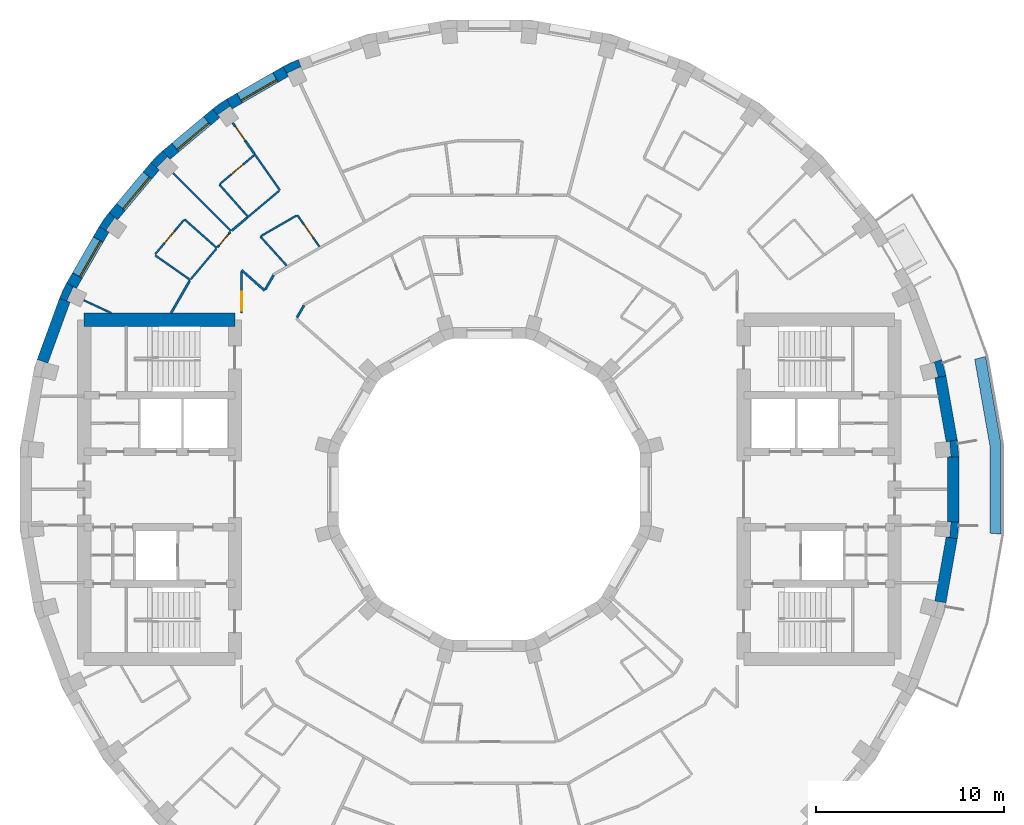
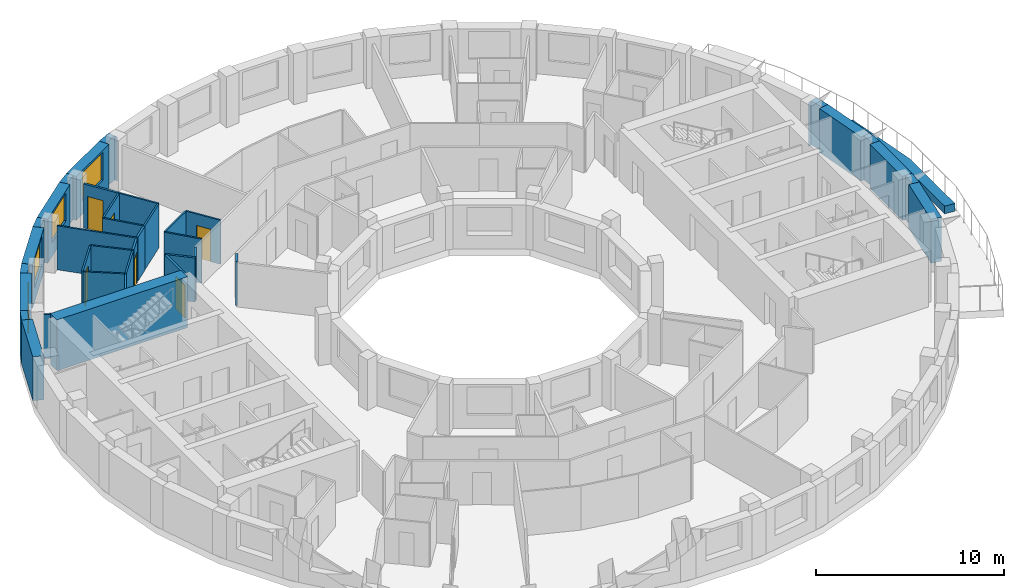
# One storey, part 7 of 11: 39 walls, 6 doors, 4 windows, 10 openings.
"""IFC4 building model written with IfcOpenShell, lengths in metres."""

from ifc_helpers import new_model, si_unit, direction, frame, frame_2d, origin, place, context, subcontext, project, spatial, polyline, rectangle, outline, extrude, material, layer, layer_set, type_object, element, fill, save


model = new_model("IFC4")

# Units and contexts
model_context = context("Model", 3, precision=1e-05, world=origin(), true_north=direction((0.0, 1.0)))
body_context = subcontext(model_context, "Body", "Model", "MODEL_VIEW")
ifc_project = project(units=[si_unit("LENGTHUNIT", "METRE"), si_unit("AREAUNIT", "SQUARE_METRE"), si_unit("VOLUMEUNIT", "CUBIC_METRE"), si_unit("PLANEANGLEUNIT", "RADIAN"), si_unit("MASSUNIT", "GRAM", prefix="KILO")], contexts=[model_context])

# Site, building, storey
site_placement = place(None, origin())
site = spatial("IfcSite", under=ifc_project, at=site_placement, CompositionType="ELEMENT")
building_placement = place(site_placement, origin())
building = spatial("IfcBuilding", under=site, at=building_placement, Name="Saqina Gate Tower", CompositionType="ELEMENT")
storey_placement = place(building_placement, frame((0.0, 0.0, 180.60009765625)))
storey = spatial("IfcBuildingStorey", under=building, at=storey_placement, Name="L51", CompositionType="ELEMENT", Elevation=180.60009765625)

# Walls
ifc_material_1 = material(Name="Brick masonry (buff)", Category="masonry")
wall_type_1 = type_object("IfcWallType", Name="BRICK PIER COPING BUFF", PredefinedType="SOLIDWALL", material=ifc_material_1)
wall_1_placement = place(storey_placement, origin())
element("IfcWall", 1, at=wall_1_placement, inside=storey, type_object=wall_type_1, Name="Pier cap L51 column 1", PredefinedType="SOLIDWALL", context=body_context, shape_type="SweptSolid", body=[
    extrude(outline(polyline([(24.90478515625, 1.724853515625), (24.825927734375, 2.6259765625), (24.235107421875, 2.521728515625), (24.421630859375, 2.5380859375), (24.491455078125, 1.7412109375), (24.304931640625, 1.724853515625), (24.90478515625, 1.724853515625)])), origin(), (0.0, 0.0, 1.0), 2.849853515625),
])
wall_2_placement = place(storey_placement, origin())
element("IfcWall", 2, at=wall_2_placement, inside=storey, type_object=wall_type_1, Name="Pier cap L51 column 2", PredefinedType="SOLIDWALL", context=body_context, shape_type="SweptSolid", body=[
    extrude(outline(polyline([(24.22705078125, 6.0234375), (23.992919921875, 6.897216796875), (23.428955078125, 6.69189453125), (23.610107421875, 6.740478515625), (23.81689453125, 5.967529296875), (23.635986328125, 5.919189453125), (24.22705078125, 6.0234375)])), origin(), (0.0, 0.0, 1.0), 2.849853515625),
])
wall_3_placement = place(storey_placement, origin())
element("IfcWall", 3, at=wall_3_placement, inside=storey, type_object=wall_type_1, Name="Pier cap L51 column 12", PredefinedType="SOLIDWALL", context=body_context, shape_type="SweptSolid", body=[
    extrude(outline(polyline([(-10.958740234375, 22.4306640625), (-10.65869140625, 21.9111328125), (-10.73779296875, 22.080810546875), (-10.0126953125, 22.4189453125), (-9.93359375, 22.249267578125), (-10.138916015625, 22.81298828125), (-10.958740234375, 22.4306640625)])), origin(), (0.0, 0.0, 1.0), 2.849853515625),
])
wall_4_placement = place(storey_placement, origin())
element("IfcWall", 4, at=wall_4_placement, inside=storey, type_object=wall_type_1, Name="Pier cap L51 column 13", PredefinedType="SOLIDWALL", context=body_context, shape_type="SweptSolid", body=[
    extrude(outline(polyline([(-13.9462890625, 20.705810546875), (-14.687255859375, 20.18701171875), (-14.301513671875, 19.727294921875), (-14.408935546875, 19.880859375), (-13.753662109375, 20.339599609375), (-13.646240234375, 20.186279296875), (-13.9462890625, 20.705810546875)])), origin(), (0.0, 0.0, 1.0), 2.849853515625),
])
wall_5_placement = place(storey_placement, origin())
element("IfcWall", 5, at=wall_5_placement, inside=storey, type_object=wall_type_1, Name="Pier cap L51 column 14", PredefinedType="SOLIDWALL", context=body_context, shape_type="SweptSolid", body=[
    extrude(outline(polyline([(-17.969482421875, 17.329833984375), (-17.510009765625, 16.944091796875), (-17.642333984375, 17.07666015625), (-17.07666015625, 17.642333984375), (-16.944091796875, 17.510009765625), (-17.329833984375, 17.969482421875), (-17.969482421875, 17.329833984375)])), origin(), (0.0, 0.0, 1.0), 2.849853515625),
])
wall_6_placement = place(storey_placement, origin())
element("IfcWall", 6, at=wall_6_placement, inside=storey, type_object=wall_type_1, Name="Pier cap L51 column 15", PredefinedType="SOLIDWALL", context=body_context, shape_type="SweptSolid", body=[
    extrude(outline(polyline([(-20.18701171875, 14.687255859375), (-20.705810546875, 13.9462890625), (-20.186279296875, 13.646240234375), (-20.339599609375, 13.753662109375), (-19.880859375, 14.408935546875), (-19.727294921875, 14.301513671875), (-20.18701171875, 14.687255859375)])), origin(), (0.0, 0.0, 1.0), 2.849853515625),
])
wall_7_placement = place(storey_placement, origin())
element("IfcWall", 7, at=wall_7_placement, inside=storey, type_object=wall_type_1, Name="Pier cap L51 column 16", PredefinedType="SOLIDWALL", context=body_context, shape_type="SweptSolid", body=[
    extrude(outline(polyline([(-22.81298828125, 10.138916015625), (-22.249267578125, 9.93359375), (-22.4189453125, 10.0126953125), (-22.080810546875, 10.73779296875), (-21.9111328125, 10.65869140625), (-22.4306640625, 10.958740234375), (-22.81298828125, 10.138916015625)])), origin(), (0.0, 0.0, 1.0), 2.849853515625),
])
wall_8_placement = place(storey_placement, origin())
element("IfcWall", 8, at=wall_8_placement, inside=storey, type_object=wall_type_1, Name="Pier cap L51 column 36", PredefinedType="SOLIDWALL", context=body_context, shape_type="SweptSolid", body=[
    extrude(outline(polyline([(24.825927734375, -2.6259765625), (24.90478515625, -1.724853515625), (24.304931640625, -1.724853515625), (24.491455078125, -1.7412109375), (24.421630859375, -2.5380859375), (24.235107421875, -2.521728515625), (24.825927734375, -2.6259765625)])), origin(), (0.0, 0.0, 1.0), 2.849853515625),
])

# Wall, opening, window
ifc_material_2 = material(Name="Brick masonry (buff)", Category="masonry")
ifc_layer_1 = layer(ifc_material_2, 0.60009765625)
ifc_layer_set_1 = layer_set([ifc_layer_1], Name="FW-BRICK-BUFF")
wall_type_2 = type_object("IfcWallType", Name="FW-BRICK-BUFF", PredefinedType="SOLIDWALL", material=ifc_layer_set_1)
wall_9_placement = place(storey_placement, frame((-10.80859375, 22.1708984375, 0.0), z_axis=(0.0, 0.0, 1.0), x_axis=(-0.86602648383, -0.499998129301, 0.0)))
wall_9 = element("IfcWall", 9, at=wall_9_placement, inside=storey, type_object=wall_type_2, Name="Facade wall L51 facet 12", PredefinedType="SOLIDWALL", context=body_context, shape_type="SweptSolid", body=[
    extrude(rectangle(XDim=3.44970703125, YDim=0.60009765625, at=frame_2d((1.724853515625, 0.0))), origin(), (0.0, 0.0, 1.0), 2.849853515625),
])
opening_1_placement = place(wall_9_placement, frame((0.625, 0.0, 0.89990234375)))
opening_1 = element("IfcOpeningElement", 10, at=opening_1_placement, cuts=wall_9, Name="Opening G15-W09", PredefinedType="OPENING", context=body_context, shape_type="SweptSolid", body=[
    extrude(rectangle(XDim=2.199951171875, YDim=1.800048828125, at=frame_2d((1.10009765625, 0.89990234375))), frame((0.0, 0.31201171875, 0.0), z_axis=(0.0, -1.0, 0.0), x_axis=(1.0, 0.0, 0.0)), (0.0, 0.0, 1.0), 0.6240234375),
])
ifc_material_3 = material(Name="Aluminium glazing", Category="aluminium")
window_type = type_object("IfcWindowType", Name="WN-C", PartitioningType="SINGLE_PANEL", PredefinedType="WINDOW", material=ifc_material_3)
window_1_placement = place(opening_1_placement, origin())
window_1 = element("IfcWindow", 11, at=window_1_placement, inside=storey, type_object=window_type, Name="Window L51 facet 12", OverallHeight=1.800048828125, OverallWidth=2.199951171875, PartitioningType="SINGLE_PANEL", PredefinedType="WINDOW", context=body_context, shape_type="SweptSolid", body=[
    extrude(rectangle(XDim=2.199951171875, YDim=1.800048828125, at=frame_2d((1.10009765625, 0.89990234375))), frame((0.0, 0.179931640625, 0.0), z_axis=(0.0, -1.0, 0.0), x_axis=(1.0, 0.0, 0.0)), (0.0, 0.0, 1.0), 0.06005859375),
])
fill(opening_1, window_1)

wall_10_placement = place(storey_placement, frame((-14.494384765625, 19.95703125, 0.0), z_axis=(0.0, 0.0, 1.0), x_axis=(-0.766058884809, -0.642770398358, 0.0)))
wall_10 = element("IfcWall", 12, at=wall_10_placement, inside=storey, type_object=wall_type_2, Name="Facade wall L51 facet 13", PredefinedType="SOLIDWALL", context=body_context, shape_type="SweptSolid", body=[
    extrude(rectangle(XDim=3.449462890625, YDim=0.60009765625, at=frame_2d((1.724609375, 0.0))), origin(), (0.0, 0.0, 1.0), 2.849853515625),
])
opening_2_placement = place(wall_10_placement, frame((0.625, 0.0, 0.89990234375)))
opening_2 = element("IfcOpeningElement", 13, at=opening_2_placement, cuts=wall_10, Name="Opening G15-W10", PredefinedType="OPENING", context=body_context, shape_type="SweptSolid", body=[
    extrude(rectangle(XDim=2.199951171875, YDim=1.800048828125, at=frame_2d((1.10009765625, 0.89990234375))), frame((0.0, 0.31201171875, 0.0), z_axis=(0.0, -1.0, 0.0), x_axis=(1.0, 0.0, 0.0)), (0.0, 0.0, 1.0), 0.6240234375),
])
window_2_placement = place(opening_2_placement, origin())
window_2 = element("IfcWindow", 14, at=window_2_placement, inside=storey, type_object=window_type, Name="Window L51 facet 13", OverallHeight=1.800048828125, OverallWidth=2.199951171875, PartitioningType="SINGLE_PANEL", PredefinedType="WINDOW", context=body_context, shape_type="SweptSolid", body=[
    extrude(rectangle(XDim=2.199951171875, YDim=1.800048828125, at=frame_2d((1.10009765625, 0.89990234375))), frame((0.0, 0.179931640625, 0.0), z_axis=(0.0, -1.0, 0.0), x_axis=(1.0, 0.0, 0.0)), (0.0, 0.0, 1.0), 0.06005859375),
])
fill(opening_2, window_2)

wall_11_placement = place(storey_placement, frame((-17.73974609375, 17.136962890625, 0.0), z_axis=(0.0, 0.0, 1.0), x_axis=(-0.642770398358, -0.766058884809, 0.0)))
wall_11 = element("IfcWall", 15, at=wall_11_placement, inside=storey, type_object=wall_type_2, Name="Facade wall L51 facet 14", PredefinedType="SOLIDWALL", context=body_context, shape_type="SweptSolid", body=[
    extrude(rectangle(XDim=3.449462890625, YDim=0.60009765625, at=frame_2d((1.724609375, 0.0))), origin(), (0.0, 0.0, 1.0), 2.849853515625),
])
opening_3_placement = place(wall_11_placement, frame((0.625, 0.0, 0.89990234375)))
opening_3 = element("IfcOpeningElement", 16, at=opening_3_placement, cuts=wall_11, Name="Opening G15-W11", PredefinedType="OPENING", context=body_context, shape_type="SweptSolid", body=[
    extrude(rectangle(XDim=2.199951171875, YDim=1.800048828125, at=frame_2d((1.10009765625, 0.89990234375))), frame((0.0, 0.31201171875, 0.0), z_axis=(0.0, -1.0, 0.0), x_axis=(1.0, 0.0, 0.0)), (0.0, 0.0, 1.0), 0.6240234375),
])
window_3_placement = place(opening_3_placement, origin())
window_3 = element("IfcWindow", 17, at=window_3_placement, inside=storey, type_object=window_type, Name="Window L51 facet 14", OverallHeight=1.800048828125, OverallWidth=2.199951171875, PartitioningType="SINGLE_PANEL", PredefinedType="WINDOW", context=body_context, shape_type="SweptSolid", body=[
    extrude(rectangle(XDim=2.199951171875, YDim=1.800048828125, at=frame_2d((1.10009765625, 0.89990234375))), frame((0.0, 0.179931640625, 0.0), z_axis=(0.0, -1.0, 0.0), x_axis=(1.0, 0.0, 0.0)), (0.0, 0.0, 1.0), 0.06005859375),
])
fill(opening_3, window_3)

wall_12_placement = place(storey_placement, frame((-20.446044921875, 13.796142578125, 0.0), z_axis=(0.0, 0.0, 1.0), x_axis=(-0.499998129301, -0.86602648383, 0.0)))
wall_12 = element("IfcWall", 18, at=wall_12_placement, inside=storey, type_object=wall_type_2, Name="Facade wall L51 facet 15", PredefinedType="SOLIDWALL", context=body_context, shape_type="SweptSolid", body=[
    extrude(rectangle(XDim=3.44970703125, YDim=0.60009765625, at=frame_2d((1.724853515625, 0.0))), origin(), (0.0, 0.0, 1.0), 2.849853515625),
])
opening_4_placement = place(wall_12_placement, frame((0.625, 0.0, 0.89990234375)))
opening_4 = element("IfcOpeningElement", 19, at=opening_4_placement, cuts=wall_12, Name="Opening G15-W12", PredefinedType="OPENING", context=body_context, shape_type="SweptSolid", body=[
    extrude(rectangle(XDim=2.199951171875, YDim=1.800048828125, at=frame_2d((1.10009765625, 0.89990234375))), frame((0.0, 0.31201171875, 0.0), z_axis=(0.0, -1.0, 0.0), x_axis=(1.0, 0.0, 0.0)), (0.0, 0.0, 1.0), 0.6240234375),
])
window_4_placement = place(opening_4_placement, origin())
window_4 = element("IfcWindow", 20, at=window_4_placement, inside=storey, type_object=window_type, Name="Window L51 facet 15", OverallHeight=1.800048828125, OverallWidth=2.199951171875, PartitioningType="SINGLE_PANEL", PredefinedType="WINDOW", context=body_context, shape_type="SweptSolid", body=[
    extrude(rectangle(XDim=2.199951171875, YDim=1.800048828125, at=frame_2d((1.10009765625, 0.89990234375))), frame((0.0, 0.179931640625, 0.0), z_axis=(0.0, -1.0, 0.0), x_axis=(1.0, 0.0, 0.0)), (0.0, 0.0, 1.0), 0.06005859375),
])
fill(opening_4, window_4)

# Walls
ifc_material_4 = material(Name="Glazed ceramic tile", Category="ceramic")
ifc_layer_2 = layer(ifc_material_4, 0.60009765625)
ifc_layer_set_2 = layer_set([ifc_layer_2], Name="FW-TILE")
wall_type_3 = type_object("IfcWallType", Name="FW-TILE", PredefinedType="SOLIDWALL", material=ifc_layer_set_2)
for number, where, z_axis, x_axis, name in (
    (21, (-22.531005859375, 10.0361328125, 0.0), (0.0, 0.0, 1.0), (-0.342032843455, -0.93968799822, 0.0), "Facade wall L51 facet 16"),
    (22, (24.60498046875, -1.724853515625, 0.0), (0.0, 0.0, 1.0), (0.0, 1.0, 0.0), "Facade wall L51 facet 36"),
):
    element("IfcWall", number, at=place(storey_placement, frame(where, z_axis=z_axis, x_axis=x_axis)), inside=storey, type_object=wall_type_3, Name=name, PredefinedType="SOLIDWALL", context=body_context, shape_type="SweptSolid", body=[
        extrude(rectangle(XDim=3.44970703125, YDim=0.60009765625, at=frame_2d((1.724853515625, 0.0))), origin(), (0.0, 0.0, 1.0), 2.849853515625),
    ])
ifc_material_5 = material(Name="Glazed ceramic tile (dark blue)", Category="ceramic")
ifc_layer_3 = layer(ifc_material_5, 0.60009765625)
ifc_layer_set_3 = layer_set([ifc_layer_3], Name="FW-TILE-CB")
wall_type_4 = type_object("IfcWallType", Name="FW-TILE-CB", PredefinedType="SOLIDWALL", material=ifc_layer_set_3)
wall_13_placement = place(storey_placement, frame((23.931640625, -5.97119140625, 0.0), z_axis=(0.0, 0.0, 1.0), x_axis=(0.173607684551, 0.984814892183, 0.0)))
element("IfcWall", 23, at=wall_13_placement, inside=storey, type_object=wall_type_4, Name="Facade wall L51 facet 35", PredefinedType="SOLIDWALL", context=body_context, shape_type="SweptSolid", body=[
    extrude(rectangle(XDim=3.44970703125, YDim=0.60009765625, at=frame_2d((1.724853515625, 0.0))), origin(), (0.0, 0.0, 1.0), 2.849853515625),
])
ifc_material_6 = material(Name="Glazed ceramic tile (white)", Category="ceramic")
ifc_layer_4 = layer(ifc_material_6, 0.60009765625)
ifc_layer_set_4 = layer_set([ifc_layer_4], Name="FW-TILE-WH")
wall_type_5 = type_object("IfcWallType", Name="FW-TILE-WH", PredefinedType="SOLIDWALL", material=ifc_layer_set_4)
wall_14_placement = place(storey_placement, frame((24.530517578125, 2.573974609375, 0.0), z_axis=(0.0, 0.0, 1.0), x_axis=(-0.173607684551, 0.984814892183, 0.0)))
element("IfcWall", 24, at=wall_14_placement, inside=storey, type_object=wall_type_5, Name="Facade wall L51 facet 1", PredefinedType="SOLIDWALL", context=body_context, shape_type="SweptSolid", body=[
    extrude(rectangle(XDim=3.44970703125, YDim=0.60009765625, at=frame_2d((1.724853515625, 0.0))), origin(), (0.0, 0.0, 1.0), 2.849853515625),
])
ifc_material_7 = material(Name="Gypsum board on steel studs, 100 mm", Category="steel")
ifc_layer_5 = layer(ifc_material_7, 0.10009765625)
ifc_layer_set_5 = layer_set([ifc_layer_5], Name="PARTITION 100")
wall_type_6 = type_object("IfcWallType", Name="PARTITION 100", PredefinedType="PARTITIONING", material=ifc_layer_set_5)
wall_15_placement = place(storey_placement, frame((-12.4677734375, 17.805908203125, 0.0), z_axis=(0.0, 0.0, 1.0), x_axis=(0.573594339991, -0.819139507734, 0.0)))
element("IfcWall", 25, at=wall_15_placement, inside=storey, type_object=wall_type_6, Name="PARTITION PW3-08", PredefinedType="PARTITIONING", context=body_context, shape_type="SweptSolid", body=[
    extrude(rectangle(XDim=2.3583984375, YDim=0.10009765625, at=frame_2d((1.17919921875, 0.0))), origin(), (0.0, 0.0, 1.0), 2.849853515625),
])

# Wall, opening, door
wall_16_placement = place(storey_placement, frame((-10.19091796875, 14.553955078125, 0.0), z_axis=(0.0, 0.0, 1.0), x_axis=(0.573534545192, -0.819181375198, 0.0)))
wall_16 = element("IfcWall", 26, at=wall_16_placement, inside=storey, type_object=wall_type_6, Name="PARTITION PW3-09", PredefinedType="PARTITIONING", context=body_context, shape_type="SweptSolid", body=[
    extrude(rectangle(XDim=2.04248046875, YDim=0.10009765625, at=frame_2d((1.021240234375, 0.0))), origin(), (0.0, 0.0, 1.0), 2.849853515625),
])
opening_5_placement = place(wall_16_placement, frame((0.654052734375, 0.0, 0.0)))
opening_5 = element("IfcOpeningElement", 27, at=opening_5_placement, cuts=wall_16, Name="Opening G15-D16", PredefinedType="OPENING", context=body_context, shape_type="SweptSolid", body=[
    extrude(rectangle(XDim=0.800048828125, YDim=2.10009765625, at=frame_2d((0.39990234375, 1.050048828125))), frame((0.0, 0.06201171875, 0.0), z_axis=(0.0, -1.0, 0.0), x_axis=(1.0, 0.0, 0.0)), (0.0, 0.0, 1.0), 0.1240234375),
])
ifc_material_8 = material(Name="Timber door leaf, 800 mm", Category="wood")
door_type_1 = type_object("IfcDoorType", Name="DOOR 800 TIMBER", OperationType="SINGLE_SWING_LEFT", PredefinedType="DOOR", material=ifc_material_8)
door_1_placement = place(opening_5_placement, origin())
door_1 = element("IfcDoor", 28, at=door_1_placement, inside=storey, type_object=door_type_1, Name="DOOR G15-D16", OperationType="SINGLE_SWING_RIGHT", OverallHeight=2.10009765625, OverallWidth=0.800048828125, PredefinedType="DOOR", context=body_context, shape_type="SweptSolid", body=[
    extrude(rectangle(XDim=0.800048828125, YDim=2.10009765625, at=frame_2d((0.39990234375, 1.050048828125))), frame((0.0, 0.02490234375, 0.0), z_axis=(0.0, -1.0, 0.0), x_axis=(1.0, 0.0, 0.0)), (0.0, 0.0, 1.0), 0.050048828125),
])
fill(opening_5, door_1)

# Walls
wall_17_placement = place(storey_placement, frame((-14.3291015625, 16.178955078125, 0.0), z_axis=(0.0, 0.0, 1.0), x_axis=(0.663042232896, -0.748581991098, 0.0)))
element("IfcWall", 29, at=wall_17_placement, inside=storey, type_object=wall_type_6, Name="PARTITION PW3-14", PredefinedType="PARTITIONING", context=body_context, shape_type="SweptSolid", body=[
    extrude(rectangle(XDim=2.237548828125, YDim=0.10009765625, at=frame_2d((1.11865234375, 0.0))), origin(), (0.0, 0.0, 1.0), 2.849853515625),
])
wall_18_placement = place(storey_placement, frame((-12.154296875, 13.420654296875, 0.0), z_axis=(0.0, 0.0, 1.0), x_axis=(0.670986897281, -0.741469206156, 0.0)))
element("IfcWall", 30, at=wall_18_placement, inside=storey, type_object=wall_type_6, Name="PARTITION PW3-15", PredefinedType="PARTITIONING", context=body_context, shape_type="SweptSolid", body=[
    extrude(rectangle(XDim=2.085205078125, YDim=0.10009765625, at=frame_2d((1.04248046875, 0.0))), origin(), (0.0, 0.0, 1.0), 2.849853515625),
])
wall_19_placement = place(storey_placement, frame((-16.78662109375, 16.78662109375, 0.0), z_axis=(0.0, 0.0, 1.0), x_axis=(0.707106781187, -0.707106781187, 0.0)))
element("IfcWall", 31, at=wall_19_placement, inside=storey, type_object=wall_type_6, Name="PARTITION PW3-16", PredefinedType="PARTITIONING", context=body_context, shape_type="SweptSolid", body=[
    extrude(rectangle(XDim=4.361083984375, YDim=0.10009765625, at=frame_2d((2.1806640625, 0.0))), origin(), (0.0, 0.0, 1.0), 2.849853515625),
])
wall_20_placement = place(storey_placement, frame((-16.178955078125, 14.3291015625, 0.0), z_axis=(0.0, 0.0, 1.0), x_axis=(0.74859119091, -0.663031846061, 0.0)))
element("IfcWall", 32, at=wall_20_placement, inside=storey, type_object=wall_type_6, Name="PARTITION PW3-18", PredefinedType="PARTITIONING", context=body_context, shape_type="SweptSolid", body=[
    extrude(rectangle(XDim=2.2998046875, YDim=0.10009765625, at=frame_2d((1.14990234375, 0.0))), origin(), (0.0, 0.0, 1.0), 2.849853515625),
])
wall_21_placement = place(storey_placement, frame((-17.721923828125, 12.408935546875, 0.0), z_axis=(0.0, 0.0, 1.0), x_axis=(0.819165747117, -0.573556866187, 0.0)))
element("IfcWall", 33, at=wall_21_placement, inside=storey, type_object=wall_type_6, Name="PARTITION PW3-21", PredefinedType="PARTITIONING", context=body_context, shape_type="SweptSolid", body=[
    extrude(rectangle(XDim=2.25341796875, YDim=0.10009765625, at=frame_2d((1.126708984375, 0.0))), origin(), (0.0, 0.0, 1.0), 2.849853515625),
])
wall_22_placement = place(storey_placement, frame((-21.515625, 10.033203125, 0.0), z_axis=(0.0, 0.0, 1.0), x_axis=(0.906055596822, -0.423158664648, 0.0)))
element("IfcWall", 34, at=wall_22_placement, inside=storey, type_object=wall_type_6, Name="PARTITION PW3-28", PredefinedType="PARTITIONING", context=body_context, shape_type="SweptSolid", body=[
    extrude(rectangle(XDim=1.6142578125, YDim=0.10009765625, at=frame_2d((0.80712890625, 0.0))), origin(), (0.0, 0.0, 1.0), 2.849853515625),
])
wall_23_placement = place(storey_placement, frame((-12.109619140625, 13.446044921875, 0.0), z_axis=(0.0, 0.0, 1.0), x_axis=(0.865956302405, 0.500119668004, 0.0)))
element("IfcWall", 35, at=wall_23_placement, inside=storey, type_object=wall_type_6, Name="PARTITION PW3-42", PredefinedType="PARTITIONING", context=body_context, shape_type="SweptSolid", body=[
    extrude(rectangle(XDim=2.16357421875, YDim=0.10009765625, at=frame_2d((1.081787109375, 0.0))), origin(), (0.0, 0.0, 1.0), 2.849853515625),
])
wall_24_placement = place(storey_placement, frame((-12.84228515625, 14.4248046875, 0.0), z_axis=(0.0, 0.0, 1.0), x_axis=(0.766089344118, 0.642734094964, 0.0)))
element("IfcWall", 36, at=wall_24_placement, inside=storey, type_object=wall_type_6, Name="PARTITION PW3-45", PredefinedType="PARTITIONING", context=body_context, shape_type="SweptSolid", body=[
    extrude(rectangle(XDim=2.200927734375, YDim=0.10009765625, at=frame_2d((1.1005859375, 0.0))), origin(), (0.0, 0.0, 1.0), 2.849853515625),
])

# Wall, opening, door
wall_25_placement = place(storey_placement, frame((-14.290771484375, 16.211181640625, 0.0), z_axis=(0.0, 0.0, 1.0), x_axis=(0.766049914327, 0.642781089299, 0.0)))
wall_25 = element("IfcWall", 37, at=wall_25_placement, inside=storey, type_object=wall_type_6, Name="PARTITION PW3-46", PredefinedType="PARTITIONING", context=body_context, shape_type="SweptSolid", body=[
    extrude(rectangle(XDim=2.35498046875, YDim=0.10009765625, at=frame_2d((1.177490234375, 0.0))), origin(), (0.0, 0.0, 1.0), 2.849853515625),
])
opening_6_placement = place(wall_25_placement, frame((0.78369140625, 0.0, 0.0)))
opening_6 = element("IfcOpeningElement", 38, at=opening_6_placement, cuts=wall_25, Name="Opening G15-D18", PredefinedType="OPENING", context=body_context, shape_type="SweptSolid", body=[
    extrude(rectangle(XDim=0.800048828125, YDim=2.10009765625, at=frame_2d((0.39990234375, 1.050048828125))), frame((0.0, 0.06201171875, 0.0), z_axis=(0.0, -1.0, 0.0), x_axis=(1.0, 0.0, 0.0)), (0.0, 0.0, 1.0), 0.1240234375),
])
door_2_placement = place(opening_6_placement, origin())
door_2 = element("IfcDoor", 39, at=door_2_placement, inside=storey, type_object=door_type_1, Name="DOOR G15-D18", OperationType="SINGLE_SWING_RIGHT", OverallHeight=2.10009765625, OverallWidth=0.800048828125, PredefinedType="DOOR", context=body_context, shape_type="SweptSolid", body=[
    extrude(rectangle(XDim=0.800048828125, YDim=2.10009765625, at=frame_2d((0.39990234375, 1.050048828125))), frame((0.0, 0.02490234375, 0.0), z_axis=(0.0, -1.0, 0.0), x_axis=(1.0, 0.0, 0.0)), (0.0, 0.0, 1.0), 0.050048828125),
])
fill(opening_6, door_2)

# Wall
wall_26_placement = place(storey_placement, frame((-15.841796875, 11.1533203125, 0.0), z_axis=(0.0, 0.0, 1.0), x_axis=(0.642759429892, 0.766068087891, 0.0)))
element("IfcWall", 40, at=wall_26_placement, inside=storey, type_object=wall_type_6, Name="PARTITION PW3-51", PredefinedType="PARTITIONING", context=body_context, shape_type="SweptSolid", body=[
    extrude(rectangle(XDim=2.104736328125, YDim=0.10009765625, at=frame_2d((1.05224609375, 0.0))), origin(), (0.0, 0.0, 1.0), 2.849853515625),
])

# Wall, opening, door
wall_27_placement = place(storey_placement, frame((-17.73291015625, 12.477294921875, 0.0), z_axis=(0.0, 0.0, 1.0), x_axis=(0.64278038415, 0.766050506006, 0.0)))
wall_27 = element("IfcWall", 41, at=wall_27_placement, inside=storey, type_object=wall_type_6, Name="PARTITION PW3-52", PredefinedType="PARTITIONING", context=body_context, shape_type="SweptSolid", body=[
    extrude(rectangle(XDim=2.36474609375, YDim=0.10009765625, at=frame_2d((1.182373046875, 0.0))), origin(), (0.0, 0.0, 1.0), 2.849853515625),
])
opening_7_placement = place(wall_27_placement, frame((0.782958984375, 0.0, 0.0)))
opening_7 = element("IfcOpeningElement", 42, at=opening_7_placement, cuts=wall_27, Name="Opening G15-D20", PredefinedType="OPENING", context=body_context, shape_type="SweptSolid", body=[
    extrude(rectangle(XDim=0.800048828125, YDim=2.10009765625, at=frame_2d((0.39990234375, 1.050048828125))), frame((0.0, 0.06201171875, 0.0), z_axis=(0.0, -1.0, 0.0), x_axis=(1.0, 0.0, 0.0)), (0.0, 0.0, 1.0), 0.1240234375),
])
door_3_placement = place(opening_7_placement, origin())
door_3 = element("IfcDoor", 43, at=door_3_placement, inside=storey, type_object=door_type_1, Name="DOOR G15-D20", OperationType="SINGLE_SWING_RIGHT", OverallHeight=2.10009765625, OverallWidth=0.800048828125, PredefinedType="DOOR", context=body_context, shape_type="SweptSolid", body=[
    extrude(rectangle(XDim=0.800048828125, YDim=2.10009765625, at=frame_2d((0.39990234375, 1.050048828125))), frame((0.0, 0.02490234375, 0.0), z_axis=(0.0, -1.0, 0.0), x_axis=(1.0, 0.0, 0.0)), (0.0, 0.0, 1.0), 0.050048828125),
])
fill(opening_7, door_3)

ifc_material_9 = material(Name="Gypsum board on steel studs, 125 mm, fire rated", Category="steel")
ifc_layer_6 = layer(ifc_material_9, 0.125)
ifc_layer_set_6 = layer_set([ifc_layer_6], Name="PARTITION EI 30 125")
wall_type_7 = type_object("IfcWallType", Name="PARTITION EI 30 125", PredefinedType="PARTITIONING", material=ifc_layer_set_6)
wall_28_placement = place(storey_placement, frame((-13.616943359375, 19.446533203125, 0.0), z_axis=(0.0, 0.0, 1.0), x_axis=(0.573568678046, -0.819157476658, 0.0)))
wall_28 = element("IfcWall", 44, at=wall_28_placement, inside=storey, type_object=wall_type_7, Name="PARTITION PW1-06", PredefinedType="PARTITIONING", context=body_context, shape_type="SweptSolid", body=[
    extrude(rectangle(XDim=2.003173828125, YDim=0.125, at=frame_2d((1.00146484375, 0.0))), origin(), (0.0, 0.0, 1.0), 2.849853515625),
])
opening_8_placement = place(wall_28_placement, frame((0.247802734375, 0.0, 0.0)))
opening_8 = element("IfcOpeningElement", 45, at=opening_8_placement, cuts=wall_28, Name="Opening G15-D17", PredefinedType="OPENING", context=body_context, shape_type="SweptSolid", body=[
    extrude(rectangle(XDim=0.89990234375, YDim=2.10009765625, at=frame_2d((0.449951171875, 1.050048828125))), frame((0.0, 0.074462890625, 0.0), z_axis=(0.0, -1.0, 0.0), x_axis=(1.0, 0.0, 0.0)), (0.0, 0.0, 1.0), 0.14892578125),
])
ifc_material_10 = material(Name="Fire door leaf EI 30, 900 mm")
door_type_2 = type_object("IfcDoorType", Name="DOOR 900 EI 30", OperationType="SINGLE_SWING_LEFT", PredefinedType="DOOR", material=ifc_material_10)
door_4_placement = place(opening_8_placement, origin())
door_4 = element("IfcDoor", 46, at=door_4_placement, inside=storey, type_object=door_type_2, Name="DOOR G15-D17", OperationType="SINGLE_SWING_LEFT", OverallHeight=2.10009765625, OverallWidth=0.89990234375, PredefinedType="DOOR", context=body_context, shape_type="SweptSolid", body=[
    extrude(rectangle(XDim=0.89990234375, YDim=2.10009765625, at=frame_2d((0.449951171875, 1.050048828125))), frame((0.0, 0.02490234375, 0.0), z_axis=(0.0, -1.0, 0.0), x_axis=(1.0, 0.0, 0.0)), (0.0, 0.0, 1.0), 0.050048828125),
])
fill(opening_8, door_4)

# Walls
wall_29_placement = place(storey_placement, frame((-13.14697265625, 11.63134765625, 0.0), z_axis=(0.0, 0.0, 1.0), x_axis=(0.748973743587, -0.66259967659, 0.0)))
element("IfcWall", 47, at=wall_29_placement, inside=storey, type_object=wall_type_7, Name="PARTITION PW1-09", PredefinedType="PARTITIONING", context=body_context, shape_type="SweptSolid", body=[
    extrude(rectangle(XDim=1.6337890625, YDim=0.125, at=frame_2d((0.81689453125, 0.0))), origin(), (0.0, 0.0, 1.0), 2.849853515625),
])
wall_30_placement = place(storey_placement, frame((-13.66259765625, 13.73681640625, 0.0), z_axis=(0.0, 0.0, 1.0), x_axis=(0.766198786717, 0.642603625288, 0.0)))
element("IfcWall", 48, at=wall_30_placement, inside=storey, type_object=wall_type_7, Name="PARTITION PW1-29", PredefinedType="PARTITIONING", context=body_context, shape_type="SweptSolid", body=[
    extrude(rectangle(XDim=1.070556640625, YDim=0.125, at=frame_2d((0.53515625, 0.0))), origin(), (0.0, 0.0, 1.0), 2.849853515625),
])

# Wall, opening, door
wall_31_placement = place(storey_placement, frame((-14.424072265625, 12.843017578125, 0.0), z_axis=(0.0, 0.0, 1.0), x_axis=(0.642498544186, 0.766286904964, 0.0)))
wall_31 = element("IfcWall", 49, at=wall_31_placement, inside=storey, type_object=wall_type_7, Name="PARTITION PW1-36", PredefinedType="PARTITIONING", context=body_context, shape_type="SweptSolid", body=[
    extrude(rectangle(XDim=1.05712890625, YDim=0.125, at=frame_2d((0.528564453125, 0.0))), origin(), (0.0, 0.0, 1.0), 2.849853515625),
])
opening_9_placement = place(wall_31_placement, frame((0.134765625, 0.0, 0.0)))
opening_9 = element("IfcOpeningElement", 50, at=opening_9_placement, cuts=wall_31, Name="Opening G15-D19", PredefinedType="OPENING", context=body_context, shape_type="SweptSolid", body=[
    extrude(rectangle(XDim=0.800048828125, YDim=2.10009765625, at=frame_2d((0.39990234375, 1.050048828125))), frame((0.0, 0.074462890625, 0.0), z_axis=(0.0, -1.0, 0.0), x_axis=(1.0, 0.0, 0.0)), (0.0, 0.0, 1.0), 0.14892578125),
])
ifc_material_11 = material(Name="Fire door leaf EI 30, 800 mm")
door_type_3 = type_object("IfcDoorType", Name="DOOR 800 EI 30", OperationType="SINGLE_SWING_LEFT", PredefinedType="DOOR", material=ifc_material_11)
door_5_placement = place(opening_9_placement, frame((0.800048828125, 0.0, 0.0), z_axis=(0.0, 0.0, 1.0), x_axis=(-1.0, 0.0, 0.0)))
door_5 = element("IfcDoor", 51, at=door_5_placement, inside=storey, type_object=door_type_3, Name="DOOR G15-D19", OperationType="SINGLE_SWING_LEFT", OverallHeight=2.10009765625, OverallWidth=0.800048828125, PredefinedType="DOOR", context=body_context, shape_type="SweptSolid", body=[
    extrude(rectangle(XDim=0.800048828125, YDim=2.10009765625, at=frame_2d((0.39990234375, 1.050048828125))), frame((0.0, 0.02490234375, 0.0), z_axis=(0.0, -1.0, 0.0), x_axis=(1.0, 0.0, 0.0)), (0.0, 0.0, 1.0), 0.050048828125),
])
fill(opening_9, door_5)

# Walls
wall_32_placement = place(storey_placement, frame((-10.21044921875, 9.115234375, 0.0), z_axis=(0.0, 0.0, 1.0), x_axis=(0.500827895298, 0.86554689029, 0.0)))
element("IfcWall", 52, at=wall_32_placement, inside=storey, type_object=wall_type_7, Name="PARTITION PW1-40", PredefinedType="PARTITIONING", context=body_context, shape_type="SweptSolid", body=[
    extrude(rectangle(XDim=0.739013671875, YDim=0.125, at=frame_2d((0.36962890625, 0.0))), origin(), (0.0, 0.0, 1.0), 2.849853515625),
])
wall_33_placement = place(storey_placement, frame((-11.890625, 10.605224609375, 0.0), z_axis=(0.0, 0.0, 1.0), x_axis=(0.500203519255, 0.865907869998, 0.0)))
element("IfcWall", 53, at=wall_33_placement, inside=storey, type_object=wall_type_7, Name="PARTITION PW1-42", PredefinedType="PARTITIONING", context=body_context, shape_type="SweptSolid", body=[
    extrude(rectangle(XDim=0.878662109375, YDim=0.125, at=frame_2d((0.439453125, 0.0))), origin(), (0.0, 0.0, 1.0), 2.849853515625),
])
wall_34_placement = place(storey_placement, frame((-16.891845703125, 9.35205078125, 0.0), z_axis=(0.0, 0.0, 1.0), x_axis=(0.499683424426, 0.866208101644, 0.0)))
element("IfcWall", 54, at=wall_34_placement, inside=storey, type_object=wall_type_7, Name="PARTITION PW1-43", PredefinedType="PARTITIONING", context=body_context, shape_type="SweptSolid", body=[
    extrude(rectangle(XDim=1.985595703125, YDim=0.125, at=frame_2d((0.99267578125, 0.0))), origin(), (0.0, 0.0, 1.0), 2.849853515625),
])

# Wall, opening, door
wall_35_placement = place(storey_placement, frame((-13.14990234375, 9.35107421875, 0.0), z_axis=(0.0, 0.0, 1.0), x_axis=(0.0, 1.0, 0.0)))
wall_35 = element("IfcWall", 55, at=wall_35_placement, inside=storey, type_object=wall_type_7, Name="PARTITION PW1-48", PredefinedType="PARTITIONING", context=body_context, shape_type="SweptSolid", body=[
    extrude(rectangle(XDim=2.21630859375, YDim=0.125, at=frame_2d((1.108154296875, 0.0))), origin(), (0.0, 0.0, 1.0), 2.849853515625),
])
opening_10_placement = place(wall_35_placement, frame((0.139404296875, 0.0, 0.0)))
opening_10 = element("IfcOpeningElement", 56, at=opening_10_placement, cuts=wall_35, Name="Opening G15-D21", PredefinedType="OPENING", context=body_context, shape_type="SweptSolid", body=[
    extrude(rectangle(XDim=1.0, YDim=2.10009765625, at=frame_2d((0.5, 1.050048828125))), frame((0.0, 0.074462890625, 0.0), z_axis=(0.0, -1.0, 0.0), x_axis=(1.0, 0.0, 0.0)), (0.0, 0.0, 1.0), 0.14892578125),
])
ifc_material_12 = material(Name="Fire door leaf EI 30, 1000 mm")
door_type_4 = type_object("IfcDoorType", Name="DOOR 1000 EI 30", OperationType="SINGLE_SWING_LEFT", PredefinedType="DOOR", material=ifc_material_12)
door_6_placement = place(opening_10_placement, origin())
door_6 = element("IfcDoor", 57, at=door_6_placement, inside=storey, type_object=door_type_4, Name="DOOR G15-D21", OperationType="SINGLE_SWING_LEFT", OverallHeight=2.10009765625, OverallWidth=1.0, PredefinedType="DOOR", context=body_context, shape_type="SweptSolid", body=[
    extrude(rectangle(XDim=1.0, YDim=2.10009765625, at=frame_2d((0.5, 1.050048828125))), frame((0.0, 0.02490234375, 0.0), z_axis=(0.0, -1.0, 0.0), x_axis=(1.0, 0.0, 0.0)), (0.0, 0.0, 1.0), 0.050048828125),
])
fill(opening_10, door_6)

# Walls
ifc_material_13 = material(Name="Brick masonry (red)", Category="masonry")
ifc_layer_7 = layer(ifc_material_13, 0.60009765625)
ifc_layer_set_7 = layer_set([ifc_layer_7], Name="PL-PLANTER")
wall_type_8 = type_object("IfcWallType", Name="PL-PLANTER", PredefinedType="PARAPET", material=ifc_layer_set_7)
wall_36_placement = place(storey_placement, origin())
element("IfcWall", 58, at=wall_36_placement, inside=storey, type_object=wall_type_8, Name="Planter L51", PredefinedType="PARAPET", context=body_context, shape_type="SweptSolid", body=[
    extrude(outline(polyline([(27.15478515625, -2.375732421875), (27.15478515625, 2.375732421875), (26.329833984375, 7.054931640625), (25.748046875, 6.899169921875), (26.554931640625, 2.3232421875), (26.554931640625, -2.3232421875), (27.15478515625, -2.375732421875)])), origin(), (0.0, 0.0, 1.0), 0.5),
])
ifc_material_14 = material(Name="Concrete C60/75", Category="concrete")
ifc_layer_8 = layer(ifc_material_14, 0.699951171875)
ifc_layer_set_8 = layer_set([ifc_layer_8], Name="Concrete C60/75")
wall_type_9 = type_object("IfcWallType", Name="STR-CORE WALL-C-O", PredefinedType="SHEAR", material=ifc_layer_set_8)
wall_37_placement = place(storey_placement, frame((-13.5, 9.0, 0.0), z_axis=(0.0, 0.0, 1.0), x_axis=(-1.0, 0.0, 0.0)))
element("IfcWall", 59, at=wall_37_placement, inside=storey, type_object=wall_type_9, Name="CORE WALL L51 W-NE", PredefinedType="SHEAR", context=body_context, shape_type="SweptSolid", body=[
    extrude(rectangle(XDim=8.0, YDim=0.699951171875, at=frame_2d((4.0, 0.0))), origin(), (0.0, 0.0, 1.0), 3.2998046875),
])

save(model, "model.ifc")
